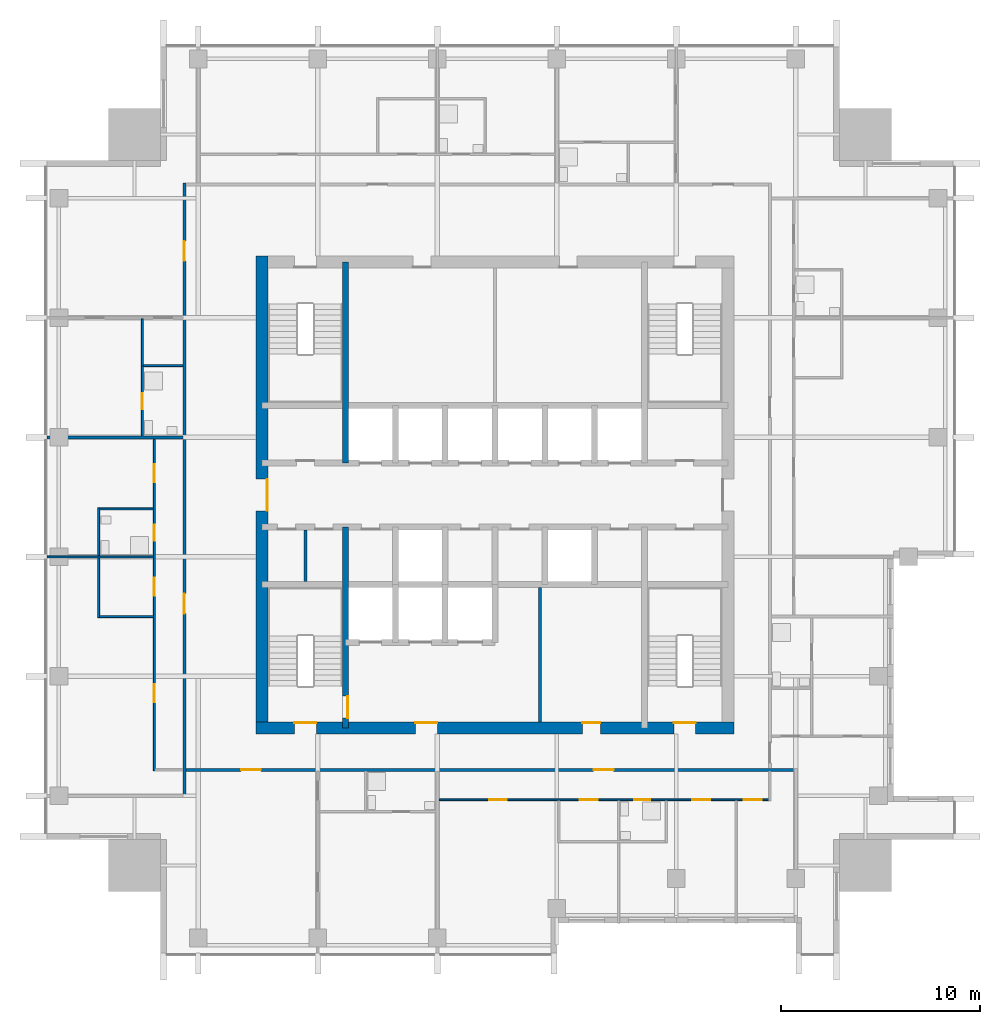
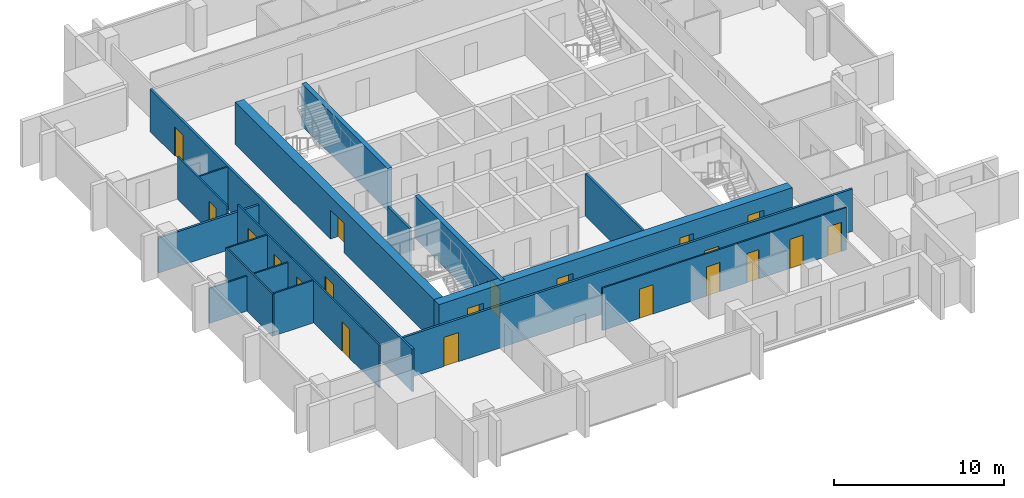
# One storey, part 4 of 10: 20 doors, 17 walls, 20 openings.
"""IFC4 building model written with IfcOpenShell, lengths in metres."""

from ifc_helpers import new_model, si_unit, direction, frame, frame_2d, origin, place, context, subcontext, project, spatial, rectangle, extrude, material, layer, layer_set, type_object, element, fill, save


model = new_model("IFC4")

# Units and contexts
model_context = context("Model", 3, precision=1e-05, world=origin(), true_north=direction((0.0, 1.0)))
body_context = subcontext(model_context, "Body", "Model", "MODEL_VIEW")
ifc_project = project(units=[si_unit("LENGTHUNIT", "METRE"), si_unit("AREAUNIT", "SQUARE_METRE"), si_unit("VOLUMEUNIT", "CUBIC_METRE"), si_unit("PLANEANGLEUNIT", "RADIAN"), si_unit("MASSUNIT", "GRAM", prefix="KILO")], contexts=[model_context])

# Site, building, storey
site_placement = place(None, origin())
site = spatial("IfcSite", under=ifc_project, at=site_placement, CompositionType="ELEMENT")
building_placement = place(site_placement, origin())
building = spatial("IfcBuilding", under=site, at=building_placement, Name="Amberfall Residences", CompositionType="ELEMENT")
storey_placement = place(building_placement, frame((0.0, 0.0, 213.39990234375)))
storey = spatial("IfcBuildingStorey", under=building, at=storey_placement, Name="L57", CompositionType="ELEMENT", Elevation=213.39990234375)

# Wall, opening, door
ifc_material_1 = material(Name="Concrete C55", Category="concrete")
ifc_layer_1 = layer(ifc_material_1, 0.300048828125)
ifc_layer_set_1 = layer_set([ifc_layer_1], Name="Core wall 300 C55")
wall_type_1 = type_object("IfcWallType", Name="Core wall 300 C55", PredefinedType="SHEAR", material=ifc_layer_set_1)
wall_1_placement = place(storey_placement, frame((67.0, 33.800048828125, 0.0), z_axis=(0.0, 0.0, 1.0), x_axis=(0.0, 1.0, 0.0)))
wall_1 = element("IfcWall", 1, at=wall_1_placement, inside=storey, type_object=wall_type_1, Name="Core wall RW8 L57 V45S", PredefinedType="SHEAR", context=body_context, shape_type="SweptSolid", body=[
    extrude(rectangle(XDim=10.099853515625, YDim=0.300048828125, at=frame_2d((5.0498046875, 0.0))), origin(), (0.0, 0.0, 1.0), 3.050048828125),
])
opening_1_placement = place(wall_1_placement, frame((0.5, 0.0, 0.0)))
opening_1 = element("IfcOpeningElement", 2, at=opening_1_placement, cuts=wall_1, Name="Opening FL1", PredefinedType="OPENING", context=body_context, shape_type="SweptSolid", body=[
    extrude(rectangle(XDim=1.10009765625, YDim=2.10009765625, at=frame_2d((0.550048828125, 1.050048828125))), frame((0.0, 0.159912109375, 0.0), z_axis=(0.0, -1.0, 0.0), x_axis=(1.0, 0.0, 0.0)), (0.0, 0.0, 1.0), 0.320068359375),
])
ifc_material_2 = material(Name="Steel fire door set", Category="steel")
door_type_1 = type_object("IfcDoorType", Name="Firefighting lobby door 1100 x 2100", OperationType="SINGLE_SWING_LEFT", PredefinedType="DOOR", material=ifc_material_2)
door_1_placement = place(opening_1_placement, origin())
door_1 = element("IfcDoor", 3, at=door_1_placement, inside=storey, type_object=door_type_1, Name="FL1 L57", OperationType="SINGLE_SWING_RIGHT", OverallHeight=2.10009765625, OverallWidth=1.10009765625, PredefinedType="DOOR", context=body_context, shape_type="SweptSolid", body=[
    extrude(rectangle(XDim=1.10009765625, YDim=2.10009765625, at=frame_2d((0.550048828125, 1.050048828125))), frame((0.0, -0.08740234375, 0.0), z_axis=(0.0, -1.0, 0.0), x_axis=(1.0, 0.0, 0.0)), (0.0, 0.0, 1.0), 0.050048828125),
])
fill(opening_1, door_1)

# Wall
wall_2_placement = place(storey_placement, frame((67.0, 47.10009765625, 0.0), z_axis=(0.0, 0.0, 1.0), x_axis=(0.0, 1.0, 0.0)))
element("IfcWall", 4, at=wall_2_placement, inside=storey, type_object=wall_type_1, Name="Core wall RW8 L57 V45N", PredefinedType="SHEAR", context=body_context, shape_type="SweptSolid", body=[
    extrude(rectangle(XDim=10.099853515625, YDim=0.300048828125, at=frame_2d((5.0498046875, 0.0))), origin(), (0.0, 0.0, 1.0), 3.050048828125),
])

# Wall, openings, doors
ifc_layer_2 = layer(ifc_material_1, 0.60009765625)
ifc_layer_set_2 = layer_set([ifc_layer_2], Name="Core wall 600 C55")
wall_type_2 = type_object("IfcWallType", Name="Core wall 600 C55", PredefinedType="SHEAR", material=ifc_layer_set_2)
wall_3_placement = place(storey_placement, frame((62.5, 33.800048828125, 0.0), z_axis=(0.0, 0.0, 1.0), x_axis=(1.0, 0.0, 0.0)))
wall_3 = element("IfcWall", 5, at=wall_3_placement, inside=storey, type_object=wall_type_2, Name="Core wall RW7 L57 OS", PredefinedType="SHEAR", context=body_context, shape_type="SweptSolid", body=[
    extrude(rectangle(XDim=24.0, YDim=0.60009765625, at=frame_2d((12.0, 0.0))), origin(), (0.0, 0.0, 1.0), 3.050048828125),
])
opening_2_placement = place(wall_3_placement, frame((1.925048828125, 0.0, 0.0)))
opening_2 = element("IfcOpeningElement", 6, at=opening_2_placement, cuts=wall_3, Name="Opening SD1", PredefinedType="OPENING", context=body_context, shape_type="SweptSolid", body=[
    extrude(rectangle(XDim=1.10009765625, YDim=2.10009765625, at=frame_2d((0.550048828125, 1.050048828125))), frame((0.0, 0.31005859375, 0.0), z_axis=(0.0, -1.0, 0.0), x_axis=(1.0, 0.0, 0.0)), (0.0, 0.0, 1.0), 0.6201171875),
])
opening_3_placement = place(wall_3_placement, frame((20.97509765625, 0.0, 0.0)))
opening_3 = element("IfcOpeningElement", 7, at=opening_3_placement, cuts=wall_3, Name="Opening SD1", PredefinedType="OPENING", context=body_context, shape_type="SweptSolid", body=[
    extrude(rectangle(XDim=1.10009765625, YDim=2.10009765625, at=frame_2d((0.550048828125, 1.050048828125))), frame((0.0, 0.31005859375, 0.0), z_axis=(0.0, -1.0, 0.0), x_axis=(1.0, 0.0, 0.0)), (0.0, 0.0, 1.0), 0.6201171875),
])
opening_4_placement = place(wall_3_placement, frame((8.0, 0.0, 0.0)))
opening_4 = element("IfcOpeningElement", 8, at=opening_4_placement, cuts=wall_3, Name="Opening FL1", PredefinedType="OPENING", context=body_context, shape_type="SweptSolid", body=[
    extrude(rectangle(XDim=1.10009765625, YDim=2.10009765625, at=frame_2d((0.550048828125, 1.050048828125))), frame((0.0, 0.31005859375, 0.0), z_axis=(0.0, -1.0, 0.0), x_axis=(1.0, 0.0, 0.0)), (0.0, 0.0, 1.0), 0.6201171875),
])
opening_5_placement = place(wall_3_placement, frame((16.387451171875, 0.0, 0.0)))
opening_5 = element("IfcOpeningElement", 9, at=opening_5_placement, cuts=wall_3, Name="Opening RD1", PredefinedType="OPENING", context=body_context, shape_type="SweptSolid", body=[
    extrude(rectangle(XDim=0.89990234375, YDim=2.10009765625, at=frame_2d((0.449951171875, 1.050048828125))), frame((0.0, 0.31005859375, 0.0), z_axis=(0.0, -1.0, 0.0), x_axis=(1.0, 0.0, 0.0)), (0.0, 0.0, 1.0), 0.6201171875),
])
door_2_placement = place(opening_4_placement, origin())
door_2 = element("IfcDoor", 10, at=door_2_placement, inside=storey, type_object=door_type_1, Name="FL1 L57", OperationType="SINGLE_SWING_LEFT", OverallHeight=2.10009765625, OverallWidth=1.10009765625, PredefinedType="DOOR", context=body_context, shape_type="SweptSolid", body=[
    extrude(rectangle(XDim=1.10009765625, YDim=2.10009765625, at=frame_2d((0.550048828125, 1.050048828125))), frame((0.0, 0.28759765625, 0.0), z_axis=(0.0, -1.0, 0.0), x_axis=(1.0, 0.0, 0.0)), (0.0, 0.0, 1.0), 0.050048828125),
])
fill(opening_4, door_2)
door_type_2 = type_object("IfcDoorType", Name="Service room door 900 x 2100", OperationType="SINGLE_SWING_LEFT", PredefinedType="DOOR", material=ifc_material_2)
door_3_placement = place(opening_5_placement, origin())
door_3 = element("IfcDoor", 11, at=door_3_placement, inside=storey, type_object=door_type_2, Name="RD1 L57", OperationType="SINGLE_SWING_LEFT", OverallHeight=2.10009765625, OverallWidth=0.89990234375, PredefinedType="DOOR", context=body_context, shape_type="SweptSolid", body=[
    extrude(rectangle(XDim=0.89990234375, YDim=2.10009765625, at=frame_2d((0.449951171875, 1.050048828125))), frame((0.0, 0.28759765625, 0.0), z_axis=(0.0, -1.0, 0.0), x_axis=(1.0, 0.0, 0.0)), (0.0, 0.0, 1.0), 0.050048828125),
])
fill(opening_5, door_3)
door_type_3 = type_object("IfcDoorType", Name="Stair door 1100 x 2100", OperationType="SINGLE_SWING_LEFT", PredefinedType="DOOR", material=ifc_material_2)
door_4_placement = place(opening_2_placement, origin())
door_4 = element("IfcDoor", 12, at=door_4_placement, inside=storey, type_object=door_type_3, Name="SD1 L57", OperationType="SINGLE_SWING_LEFT", OverallHeight=2.10009765625, OverallWidth=1.10009765625, PredefinedType="DOOR", context=body_context, shape_type="SweptSolid", body=[
    extrude(rectangle(XDim=1.10009765625, YDim=2.10009765625, at=frame_2d((0.550048828125, 1.050048828125))), frame((0.0, 0.28759765625, 0.0), z_axis=(0.0, -1.0, 0.0), x_axis=(1.0, 0.0, 0.0)), (0.0, 0.0, 1.0), 0.050048828125),
])
fill(opening_2, door_4)
door_5_placement = place(opening_3_placement, origin())
door_5 = element("IfcDoor", 13, at=door_5_placement, inside=storey, type_object=door_type_3, Name="SD1 L57", OperationType="SINGLE_SWING_RIGHT", OverallHeight=2.10009765625, OverallWidth=1.10009765625, PredefinedType="DOOR", context=body_context, shape_type="SweptSolid", body=[
    extrude(rectangle(XDim=1.10009765625, YDim=2.10009765625, at=frame_2d((0.550048828125, 1.050048828125))), frame((0.0, 0.28759765625, 0.0), z_axis=(0.0, -1.0, 0.0), x_axis=(1.0, 0.0, 0.0)), (0.0, 0.0, 1.0), 0.050048828125),
])
fill(opening_3, door_5)

# Wall, opening, door
wall_4_placement = place(storey_placement, frame((62.800048828125, 33.5, 0.0), z_axis=(0.0, 0.0, 1.0), x_axis=(0.0, 1.0, 0.0)))
wall_4 = element("IfcWall", 14, at=wall_4_placement, inside=storey, type_object=wall_type_2, Name="Core wall RW7 L57 OW", PredefinedType="SHEAR", context=body_context, shape_type="SweptSolid", body=[
    extrude(rectangle(XDim=24.0, YDim=0.60009765625, at=frame_2d((12.0, 0.0))), origin(), (0.0, 0.0, 1.0), 3.050048828125),
])
opening_6_placement = place(wall_4_placement, frame((11.199951171875, 0.0, 0.0)))
opening_6 = element("IfcOpeningElement", 15, at=opening_6_placement, cuts=wall_4, Name="Opening LB1", PredefinedType="OPENING", context=body_context, shape_type="SweptSolid", body=[
    extrude(rectangle(XDim=1.60009765625, YDim=2.10009765625, at=frame_2d((0.800048828125, 1.050048828125))), frame((0.0, 0.31005859375, 0.0), z_axis=(0.0, -1.0, 0.0), x_axis=(1.0, 0.0, 0.0)), (0.0, 0.0, 1.0), 0.6201171875),
])
door_type_4 = type_object("IfcDoorType", Name="Lift lobby double door 1600 x 2100", OperationType="DOUBLE_DOOR_SINGLE_SWING", PredefinedType="DOOR", material=ifc_material_2)
door_6_placement = place(opening_6_placement, origin())
door_6 = element("IfcDoor", 16, at=door_6_placement, inside=storey, type_object=door_type_4, Name="LB1 L57", OperationType="DOUBLE_DOOR_SINGLE_SWING", OverallHeight=2.10009765625, OverallWidth=1.60009765625, PredefinedType="DOOR", context=body_context, shape_type="SweptSolid", body=[
    extrude(rectangle(XDim=1.60009765625, YDim=2.10009765625, at=frame_2d((0.800048828125, 1.050048828125))), frame((0.0, -0.2373046875, 0.0), z_axis=(0.0, -1.0, 0.0), x_axis=(1.0, 0.0, 0.0)), (0.0, 0.0, 1.0), 0.050048828125),
])
fill(opening_6, door_6)

# Wall
ifc_material_3 = material(Name="Gypsum board on metal stud")
ifc_layer_3 = layer(ifc_material_3, 0.10009765625)
ifc_layer_set_3 = layer_set([ifc_layer_3], Name="Flat partition 100")
wall_type_3 = type_object("IfcWallType", Name="Flat partition 100", PredefinedType="PARTITIONING", material=ifc_layer_set_3)
wall_5_placement = place(storey_placement, frame((54.60009765625, 39.35009765625, 0.0), z_axis=(0.0, 0.0, 1.0), x_axis=(0.0, 1.0, 0.0)))
element("IfcWall", 17, at=wall_5_placement, inside=storey, type_object=wall_type_3, Name="Partition 001", PredefinedType="PARTITIONING", context=body_context, shape_type="SweptSolid", body=[
    extrude(rectangle(XDim=5.5, YDim=0.10009765625, at=frame_2d((2.75, 0.0))), origin(), (0.0, 0.0, 1.0), 3.050048828125),
])

# Wall, opening, door
wall_6_placement = place(storey_placement, frame((56.800048828125, 54.35009765625, 0.0), z_axis=(0.0, 0.0, 1.0), x_axis=(0.0, -1.0, 0.0)))
wall_6 = element("IfcWall", 18, at=wall_6_placement, inside=storey, type_object=wall_type_3, Name="Partition 002", PredefinedType="PARTITIONING", context=body_context, shape_type="SweptSolid", body=[
    extrude(rectangle(XDim=5.875, YDim=0.10009765625, at=frame_2d((2.9375, 0.0))), origin(), (0.0, 0.0, 1.0), 3.050048828125),
])
opening_7_placement = place(wall_6_placement, frame((3.75, 0.0, 0.0)))
opening_7 = element("IfcOpeningElement", 19, at=opening_7_placement, cuts=wall_6, Name="Opening D42", PredefinedType="OPENING", context=body_context, shape_type="SweptSolid", body=[
    extrude(rectangle(XDim=0.800048828125, YDim=2.10009765625, at=frame_2d((0.39990234375, 1.050048828125))), frame((0.0, 0.06005859375, 0.0), z_axis=(0.0, -1.0, 0.0), x_axis=(1.0, 0.0, 0.0)), (0.0, 0.0, 1.0), 0.1201171875),
])
ifc_material_4 = material(Name="Timber", Category="wood")
door_type_5 = type_object("IfcDoorType", Name="Bathroom door 800 x 2100", OperationType="SINGLE_SWING_LEFT", PredefinedType="DOOR", material=ifc_material_4)
door_7_placement = place(opening_7_placement, origin())
door_7 = element("IfcDoor", 20, at=door_7_placement, inside=storey, type_object=door_type_5, Name="Door 5708 bath1", OperationType="SINGLE_SWING_LEFT", OverallHeight=2.10009765625, OverallWidth=0.800048828125, PredefinedType="DOOR", context=body_context, shape_type="SweptSolid", body=[
    extrude(rectangle(XDim=0.800048828125, YDim=2.10009765625, at=frame_2d((0.39990234375, 1.050048828125))), frame((0.0, 0.02490234375, 0.0), z_axis=(0.0, -1.0, 0.0), x_axis=(1.0, 0.0, 0.0)), (0.0, 0.0, 1.0), 0.050048828125),
])
fill(opening_7, door_7)

# Wall, openings, doors
wall_7_placement = place(storey_placement, frame((57.39990234375, 31.64990234375, 0.0), z_axis=(0.0, 0.0, 1.0), x_axis=(0.0, 1.0, 0.0)))
wall_7 = element("IfcWall", 21, at=wall_7_placement, inside=storey, type_object=wall_type_3, Name="Partition 003", PredefinedType="PARTITIONING", context=body_context, shape_type="SweptSolid", body=[
    extrude(rectangle(XDim=16.675048828125, YDim=0.10009765625, at=frame_2d((8.33740234375, 0.0))), origin(), (0.0, 0.0, 1.0), 3.050048828125),
])
opening_8_placement = place(wall_7_placement, frame((3.449951171875, 0.0, 0.0)))
opening_8 = element("IfcOpeningElement", 22, at=opening_8_placement, cuts=wall_7, Name="Opening D41", PredefinedType="OPENING", context=body_context, shape_type="SweptSolid", body=[
    extrude(rectangle(XDim=0.89990234375, YDim=2.10009765625, at=frame_2d((0.449951171875, 1.050048828125))), frame((0.0, 0.06005859375, 0.0), z_axis=(0.0, -1.0, 0.0), x_axis=(1.0, 0.0, 0.0)), (0.0, 0.0, 1.0), 0.1201171875),
])
opening_9_placement = place(wall_7_placement, frame((8.800048828125, 0.0, 0.0)))
opening_9 = element("IfcOpeningElement", 23, at=opening_9_placement, cuts=wall_7, Name="Opening D41", PredefinedType="OPENING", context=body_context, shape_type="SweptSolid", body=[
    extrude(rectangle(XDim=0.89990234375, YDim=2.10009765625, at=frame_2d((0.449951171875, 1.050048828125))), frame((0.0, 0.06005859375, 0.0), z_axis=(0.0, -1.0, 0.0), x_axis=(1.0, 0.0, 0.0)), (0.0, 0.0, 1.0), 0.1201171875),
])
opening_10_placement = place(wall_7_placement, frame((14.5, 0.0, 0.0)))
opening_10 = element("IfcOpeningElement", 24, at=opening_10_placement, cuts=wall_7, Name="Opening D41", PredefinedType="OPENING", context=body_context, shape_type="SweptSolid", body=[
    extrude(rectangle(XDim=0.89990234375, YDim=2.10009765625, at=frame_2d((0.449951171875, 1.050048828125))), frame((0.0, 0.06005859375, 0.0), z_axis=(0.0, -1.0, 0.0), x_axis=(1.0, 0.0, 0.0)), (0.0, 0.0, 1.0), 0.1201171875),
])
opening_11_placement = place(wall_7_placement, frame((11.550048828125, 0.0, 0.0)))
opening_11 = element("IfcOpeningElement", 25, at=opening_11_placement, cuts=wall_7, Name="Opening D42", PredefinedType="OPENING", context=body_context, shape_type="SweptSolid", body=[
    extrude(rectangle(XDim=0.800048828125, YDim=2.10009765625, at=frame_2d((0.39990234375, 1.050048828125))), frame((0.0, 0.06005859375, 0.0), z_axis=(0.0, -1.0, 0.0), x_axis=(1.0, 0.0, 0.0)), (0.0, 0.0, 1.0), 0.1201171875),
])
door_8_placement = place(opening_11_placement, origin())
door_8 = element("IfcDoor", 26, at=door_8_placement, inside=storey, type_object=door_type_5, Name="Door 5707 bath1", OperationType="SINGLE_SWING_LEFT", OverallHeight=2.10009765625, OverallWidth=0.800048828125, PredefinedType="DOOR", context=body_context, shape_type="SweptSolid", body=[
    extrude(rectangle(XDim=0.800048828125, YDim=2.10009765625, at=frame_2d((0.39990234375, 1.050048828125))), frame((0.0, 0.02490234375, 0.0), z_axis=(0.0, -1.0, 0.0), x_axis=(1.0, 0.0, 0.0)), (0.0, 0.0, 1.0), 0.050048828125),
])
fill(opening_11, door_8)
door_type_6 = type_object("IfcDoorType", Name="Internal door 900 x 2100", OperationType="SINGLE_SWING_LEFT", PredefinedType="DOOR", material=ifc_material_4)
door_9_placement = place(opening_8_placement, origin())
door_9 = element("IfcDoor", 27, at=door_9_placement, inside=storey, type_object=door_type_6, Name="Door 5707 living", OperationType="SINGLE_SWING_LEFT", OverallHeight=2.10009765625, OverallWidth=0.89990234375, PredefinedType="DOOR", context=body_context, shape_type="SweptSolid", body=[
    extrude(rectangle(XDim=0.89990234375, YDim=2.10009765625, at=frame_2d((0.449951171875, 1.050048828125))), frame((0.0, 0.02490234375, 0.0), z_axis=(0.0, -1.0, 0.0), x_axis=(1.0, 0.0, 0.0)), (0.0, 0.0, 1.0), 0.050048828125),
])
fill(opening_8, door_9)
door_10_placement = place(opening_9_placement, origin())
door_10 = element("IfcDoor", 28, at=door_10_placement, inside=storey, type_object=door_type_6, Name="Door 5707 kitchen", OperationType="SINGLE_SWING_LEFT", OverallHeight=2.10009765625, OverallWidth=0.89990234375, PredefinedType="DOOR", context=body_context, shape_type="SweptSolid", body=[
    extrude(rectangle(XDim=0.89990234375, YDim=2.10009765625, at=frame_2d((0.449951171875, 1.050048828125))), frame((0.0, 0.02490234375, 0.0), z_axis=(0.0, -1.0, 0.0), x_axis=(1.0, 0.0, 0.0)), (0.0, 0.0, 1.0), 0.050048828125),
])
fill(opening_9, door_10)
door_11_placement = place(opening_10_placement, origin())
door_11 = element("IfcDoor", 29, at=door_11_placement, inside=storey, type_object=door_type_6, Name="Door 5707 bedroom1", OperationType="SINGLE_SWING_LEFT", OverallHeight=2.10009765625, OverallWidth=0.89990234375, PredefinedType="DOOR", context=body_context, shape_type="SweptSolid", body=[
    extrude(rectangle(XDim=0.89990234375, YDim=2.10009765625, at=frame_2d((0.449951171875, 1.050048828125))), frame((0.0, 0.02490234375, 0.0), z_axis=(0.0, -1.0, 0.0), x_axis=(1.0, 0.0, 0.0)), (0.0, 0.0, 1.0), 0.050048828125),
])
fill(opening_10, door_11)

# Walls
wall_8_placement = place(storey_placement, frame((56.85009765625, 52.0, 0.0), z_axis=(0.0, 0.0, 1.0), x_axis=(1.0, 0.0, 0.0)))
element("IfcWall", 30, at=wall_8_placement, inside=storey, type_object=wall_type_3, Name="Partition 025", PredefinedType="PARTITIONING", context=body_context, shape_type="SweptSolid", body=[
    extrude(rectangle(XDim=1.974853515625, YDim=0.10009765625, at=frame_2d((0.9873046875, 0.0))), origin(), (0.0, 0.0, 1.0), 3.050048828125),
])
wall_9_placement = place(storey_placement, frame((54.64990234375, 44.800048828125, 0.0), z_axis=(0.0, 0.0, 1.0), x_axis=(1.0, 0.0, 0.0)))
element("IfcWall", 31, at=wall_9_placement, inside=storey, type_object=wall_type_3, Name="Partition 027", PredefinedType="PARTITIONING", context=body_context, shape_type="SweptSolid", body=[
    extrude(rectangle(XDim=2.7001953125, YDim=0.10009765625, at=frame_2d((1.35009765625, 0.0))), origin(), (0.0, 0.0, 1.0), 3.050048828125),
])
wall_10_placement = place(storey_placement, frame((52.0, 42.39990234375, 0.0), z_axis=(0.0, 0.0, 1.0), x_axis=(1.0, 0.0, 0.0)))
element("IfcWall", 32, at=wall_10_placement, inside=storey, type_object=wall_type_3, Name="Partition 028", PredefinedType="PARTITIONING", context=body_context, shape_type="SweptSolid", body=[
    extrude(rectangle(XDim=5.35009765625, YDim=0.10009765625, at=frame_2d((2.675048828125, 0.0))), origin(), (0.0, 0.0, 1.0), 2.51611328125),
])
wall_11_placement = place(storey_placement, frame((54.64990234375, 39.39990234375, 0.0), z_axis=(0.0, 0.0, 1.0), x_axis=(1.0, 0.0, 0.0)))
element("IfcWall", 33, at=wall_11_placement, inside=storey, type_object=wall_type_3, Name="Partition 030", PredefinedType="PARTITIONING", context=body_context, shape_type="SweptSolid", body=[
    extrude(rectangle(XDim=2.7001953125, YDim=0.10009765625, at=frame_2d((1.35009765625, 0.0))), origin(), (0.0, 0.0, 1.0), 3.050048828125),
])

# Wall, openings, doors
wall_12_placement = place(storey_placement, frame((88.25, 30.199951171875, 0.0), z_axis=(0.0, 0.0, 1.0), x_axis=(-1.0, 0.0, 0.0)))
wall_12 = element("IfcWall", 34, at=wall_12_placement, inside=storey, type_object=wall_type_3, Name="Partition 034", PredefinedType="PARTITIONING", context=body_context, shape_type="SweptSolid", body=[
    extrude(rectangle(XDim=16.574951171875, YDim=0.10009765625, at=frame_2d((8.28759765625, 0.0))), origin(), (0.0, 0.0, 1.0), 3.050048828125),
])
opening_12_placement = place(wall_12_placement, frame((13.14990234375, 0.0, 0.0)))
opening_12 = element("IfcOpeningElement", 35, at=opening_12_placement, cuts=wall_12, Name="Opening D41", PredefinedType="OPENING", context=body_context, shape_type="SweptSolid", body=[
    extrude(rectangle(XDim=0.89990234375, YDim=2.10009765625, at=frame_2d((0.449951171875, 1.050048828125))), frame((0.0, 0.06005859375, 0.0), z_axis=(0.0, -1.0, 0.0), x_axis=(1.0, 0.0, 0.0)), (0.0, 0.0, 1.0), 0.1201171875),
])
opening_13_placement = place(wall_12_placement, frame((8.60009765625, 0.0, 0.0)))
opening_13 = element("IfcOpeningElement", 36, at=opening_13_placement, cuts=wall_12, Name="Opening D41", PredefinedType="OPENING", context=body_context, shape_type="SweptSolid", body=[
    extrude(rectangle(XDim=0.89990234375, YDim=2.10009765625, at=frame_2d((0.449951171875, 1.050048828125))), frame((0.0, 0.06005859375, 0.0), z_axis=(0.0, -1.0, 0.0), x_axis=(1.0, 0.0, 0.0)), (0.0, 0.0, 1.0), 0.1201171875),
])
opening_14_placement = place(wall_12_placement, frame((2.949951171875, 0.0, 0.0)))
opening_14 = element("IfcOpeningElement", 37, at=opening_14_placement, cuts=wall_12, Name="Opening D41", PredefinedType="OPENING", context=body_context, shape_type="SweptSolid", body=[
    extrude(rectangle(XDim=0.89990234375, YDim=2.10009765625, at=frame_2d((0.449951171875, 1.050048828125))), frame((0.0, 0.06005859375, 0.0), z_axis=(0.0, -1.0, 0.0), x_axis=(1.0, 0.0, 0.0)), (0.0, 0.0, 1.0), 0.1201171875),
])
opening_15_placement = place(wall_12_placement, frame((0.35009765625, 0.0, 0.0)))
opening_15 = element("IfcOpeningElement", 38, at=opening_15_placement, cuts=wall_12, Name="Opening D41", PredefinedType="OPENING", context=body_context, shape_type="SweptSolid", body=[
    extrude(rectangle(XDim=0.89990234375, YDim=2.10009765625, at=frame_2d((0.449951171875, 1.050048828125))), frame((0.0, 0.06005859375, 0.0), z_axis=(0.0, -1.0, 0.0), x_axis=(1.0, 0.0, 0.0)), (0.0, 0.0, 1.0), 0.1201171875),
])
opening_16_placement = place(wall_12_placement, frame((5.949951171875, 0.0, 0.0)))
opening_16 = element("IfcOpeningElement", 39, at=opening_16_placement, cuts=wall_12, Name="Opening D42", PredefinedType="OPENING", context=body_context, shape_type="SweptSolid", body=[
    extrude(rectangle(XDim=0.800048828125, YDim=2.10009765625, at=frame_2d((0.39990234375, 1.050048828125))), frame((0.0, 0.06005859375, 0.0), z_axis=(0.0, -1.0, 0.0), x_axis=(1.0, 0.0, 0.0)), (0.0, 0.0, 1.0), 0.1201171875),
])
door_12_placement = place(opening_16_placement, origin())
door_12 = element("IfcDoor", 40, at=door_12_placement, inside=storey, type_object=door_type_5, Name="Door 5702 bath1", OperationType="SINGLE_SWING_LEFT", OverallHeight=2.10009765625, OverallWidth=0.800048828125, PredefinedType="DOOR", context=body_context, shape_type="SweptSolid", body=[
    extrude(rectangle(XDim=0.800048828125, YDim=2.10009765625, at=frame_2d((0.39990234375, 1.050048828125))), frame((0.0, 0.02490234375, 0.0), z_axis=(0.0, -1.0, 0.0), x_axis=(1.0, 0.0, 0.0)), (0.0, 0.0, 1.0), 0.050048828125),
])
fill(opening_16, door_12)
door_13_placement = place(opening_12_placement, origin())
door_13 = element("IfcDoor", 41, at=door_13_placement, inside=storey, type_object=door_type_6, Name="Door 5702 living", OperationType="SINGLE_SWING_LEFT", OverallHeight=2.10009765625, OverallWidth=0.89990234375, PredefinedType="DOOR", context=body_context, shape_type="SweptSolid", body=[
    extrude(rectangle(XDim=0.89990234375, YDim=2.10009765625, at=frame_2d((0.449951171875, 1.050048828125))), frame((0.0, 0.02490234375, 0.0), z_axis=(0.0, -1.0, 0.0), x_axis=(1.0, 0.0, 0.0)), (0.0, 0.0, 1.0), 0.050048828125),
])
fill(opening_12, door_13)
door_14_placement = place(opening_13_placement, origin())
door_14 = element("IfcDoor", 42, at=door_14_placement, inside=storey, type_object=door_type_6, Name="Door 5702 kitchen", OperationType="SINGLE_SWING_LEFT", OverallHeight=2.10009765625, OverallWidth=0.89990234375, PredefinedType="DOOR", context=body_context, shape_type="SweptSolid", body=[
    extrude(rectangle(XDim=0.89990234375, YDim=2.10009765625, at=frame_2d((0.449951171875, 1.050048828125))), frame((0.0, 0.02490234375, 0.0), z_axis=(0.0, -1.0, 0.0), x_axis=(1.0, 0.0, 0.0)), (0.0, 0.0, 1.0), 0.050048828125),
])
fill(opening_13, door_14)
door_15_placement = place(opening_14_placement, origin())
door_15 = element("IfcDoor", 43, at=door_15_placement, inside=storey, type_object=door_type_6, Name="Door 5702 bedroom1", OperationType="SINGLE_SWING_LEFT", OverallHeight=2.10009765625, OverallWidth=0.89990234375, PredefinedType="DOOR", context=body_context, shape_type="SweptSolid", body=[
    extrude(rectangle(XDim=0.89990234375, YDim=2.10009765625, at=frame_2d((0.449951171875, 1.050048828125))), frame((0.0, 0.02490234375, 0.0), z_axis=(0.0, -1.0, 0.0), x_axis=(1.0, 0.0, 0.0)), (0.0, 0.0, 1.0), 0.050048828125),
])
fill(opening_14, door_15)
door_16_placement = place(opening_15_placement, origin())
door_16 = element("IfcDoor", 44, at=door_16_placement, inside=storey, type_object=door_type_6, Name="Door 5702 bedroom2", OperationType="SINGLE_SWING_LEFT", OverallHeight=2.10009765625, OverallWidth=0.89990234375, PredefinedType="DOOR", context=body_context, shape_type="SweptSolid", body=[
    extrude(rectangle(XDim=0.89990234375, YDim=2.10009765625, at=frame_2d((0.449951171875, 1.050048828125))), frame((0.0, 0.02490234375, 0.0), z_axis=(0.0, -1.0, 0.0), x_axis=(1.0, 0.0, 0.0)), (0.0, 0.0, 1.0), 0.050048828125),
])
fill(opening_15, door_16)

ifc_material_5 = material(Name="Blockwork, plastered", Category="masonry")
ifc_layer_4 = layer(ifc_material_5, 0.14990234375)
ifc_layer_set_4 = layer_set([ifc_layer_4], Name="Flat separating wall 150")
wall_type_4 = type_object("IfcWallType", Name="Flat separating wall 150", PredefinedType="PARTITIONING", material=ifc_layer_set_4)
wall_13_placement = place(storey_placement, frame((58.89990234375, 30.324951171875, 0.0), z_axis=(0.0, 0.0, 1.0), x_axis=(0.0, 1.0, 0.0)))
wall_13 = element("IfcWall", 45, at=wall_13_placement, inside=storey, type_object=wall_type_4, Name="Separating wall 037", PredefinedType="PARTITIONING", context=body_context, shape_type="SweptSolid", body=[
    extrude(rectangle(XDim=30.85009765625, YDim=0.14990234375, at=frame_2d((15.425048828125, 0.0))), origin(), (0.0, 0.0, 1.0), 3.050048828125),
])
opening_17_placement = place(wall_13_placement, frame((9.22509765625, 0.0, 0.0)))
opening_17 = element("IfcOpeningElement", 46, at=opening_17_placement, cuts=wall_13, Name="Opening D40", PredefinedType="OPENING", context=body_context, shape_type="SweptSolid", body=[
    extrude(rectangle(XDim=1.0, YDim=2.10009765625, at=frame_2d((0.5, 1.050048828125))), frame((0.0, 0.0849609375, 0.0), z_axis=(0.0, -1.0, 0.0), x_axis=(1.0, 0.0, 0.0)), (0.0, 0.0, 1.0), 0.169921875),
])
opening_18_placement = place(wall_13_placement, frame((26.925048828125, 0.0, 0.0)))
opening_18 = element("IfcOpeningElement", 47, at=opening_18_placement, cuts=wall_13, Name="Opening D40", PredefinedType="OPENING", context=body_context, shape_type="SweptSolid", body=[
    extrude(rectangle(XDim=1.0, YDim=2.10009765625, at=frame_2d((0.5, 1.050048828125))), frame((0.0, 0.0849609375, 0.0), z_axis=(0.0, -1.0, 0.0), x_axis=(1.0, 0.0, 0.0)), (0.0, 0.0, 1.0), 0.169921875),
])
ifc_material_6 = material(Name="Timber, fire-rated", Category="wood")
door_type_7 = type_object("IfcDoorType", Name="Flat entrance door FD60 1000 x 2100", OperationType="SINGLE_SWING_LEFT", PredefinedType="DOOR", material=ifc_material_6)
door_17_placement = place(opening_17_placement, origin())
door_17 = element("IfcDoor", 48, at=door_17_placement, inside=storey, type_object=door_type_7, Name="Door 5707 entrance", OperationType="SINGLE_SWING_LEFT", OverallHeight=2.10009765625, OverallWidth=1.0, PredefinedType="DOOR", context=body_context, shape_type="SweptSolid", body=[
    extrude(rectangle(XDim=1.0, YDim=2.10009765625, at=frame_2d((0.5, 1.050048828125))), frame((0.0, 0.02490234375, 0.0), z_axis=(0.0, -1.0, 0.0), x_axis=(1.0, 0.0, 0.0)), (0.0, 0.0, 1.0), 0.050048828125),
])
fill(opening_17, door_17)
door_18_placement = place(opening_18_placement, origin())
door_18 = element("IfcDoor", 49, at=door_18_placement, inside=storey, type_object=door_type_7, Name="Door 5708 entrance", OperationType="SINGLE_SWING_LEFT", OverallHeight=2.10009765625, OverallWidth=1.0, PredefinedType="DOOR", context=body_context, shape_type="SweptSolid", body=[
    extrude(rectangle(XDim=1.0, YDim=2.10009765625, at=frame_2d((0.5, 1.050048828125))), frame((0.0, 0.02490234375, 0.0), z_axis=(0.0, -1.0, 0.0), x_axis=(1.0, 0.0, 0.0)), (0.0, 0.0, 1.0), 0.050048828125),
])
fill(opening_18, door_18)

# Wall
wall_14_placement = place(storey_placement, frame((52.0, 48.39990234375, 0.0), z_axis=(0.0, 0.0, 1.0), x_axis=(1.0, 0.0, 0.0)))
element("IfcWall", 50, at=wall_14_placement, inside=storey, type_object=wall_type_4, Name="Separating wall 045", PredefinedType="PARTITIONING", context=body_context, shape_type="SweptSolid", body=[
    extrude(rectangle(XDim=6.824951171875, YDim=0.14990234375, at=frame_2d((3.41259765625, 0.0))), origin(), (0.0, 0.0, 1.0), 2.51611328125),
])

# Wall, openings, doors
wall_15_placement = place(storey_placement, frame((89.52490234375, 31.699951171875, 0.0), z_axis=(0.0, 0.0, 1.0), x_axis=(-1.0, 0.0, 0.0)))
wall_15 = element("IfcWall", 51, at=wall_15_placement, inside=storey, type_object=wall_type_4, Name="Separating wall 047", PredefinedType="PARTITIONING", context=body_context, shape_type="SweptSolid", body=[
    extrude(rectangle(XDim=30.5498046875, YDim=0.14990234375, at=frame_2d((15.27490234375, 0.0))), origin(), (0.0, 0.0, 1.0), 3.050048828125),
])
opening_19_placement = place(wall_15_placement, frame((26.77490234375, 0.0, 0.0)))
opening_19 = element("IfcOpeningElement", 52, at=opening_19_placement, cuts=wall_15, Name="Opening D40", PredefinedType="OPENING", context=body_context, shape_type="SweptSolid", body=[
    extrude(rectangle(XDim=1.0, YDim=2.10009765625, at=frame_2d((0.5, 1.050048828125))), frame((0.0, 0.0849609375, 0.0), z_axis=(0.0, -1.0, 0.0), x_axis=(1.0, 0.0, 0.0)), (0.0, 0.0, 1.0), 0.169921875),
])
opening_20_placement = place(wall_15_placement, frame((9.074951171875, 0.0, 0.0)))
opening_20 = element("IfcOpeningElement", 53, at=opening_20_placement, cuts=wall_15, Name="Opening D40", PredefinedType="OPENING", context=body_context, shape_type="SweptSolid", body=[
    extrude(rectangle(XDim=1.0, YDim=2.10009765625, at=frame_2d((0.5, 1.050048828125))), frame((0.0, 0.0849609375, 0.0), z_axis=(0.0, -1.0, 0.0), x_axis=(1.0, 0.0, 0.0)), (0.0, 0.0, 1.0), 0.169921875),
])
door_19_placement = place(opening_19_placement, origin())
door_19 = element("IfcDoor", 54, at=door_19_placement, inside=storey, type_object=door_type_7, Name="Door 5701 entrance", OperationType="SINGLE_SWING_LEFT", OverallHeight=2.10009765625, OverallWidth=1.0, PredefinedType="DOOR", context=body_context, shape_type="SweptSolid", body=[
    extrude(rectangle(XDim=1.0, YDim=2.10009765625, at=frame_2d((0.5, 1.050048828125))), frame((0.0, 0.02490234375, 0.0), z_axis=(0.0, -1.0, 0.0), x_axis=(1.0, 0.0, 0.0)), (0.0, 0.0, 1.0), 0.050048828125),
])
fill(opening_19, door_19)
door_20_placement = place(opening_20_placement, origin())
door_20 = element("IfcDoor", 55, at=door_20_placement, inside=storey, type_object=door_type_7, Name="Door 5702 entrance", OperationType="SINGLE_SWING_LEFT", OverallHeight=2.10009765625, OverallWidth=1.0, PredefinedType="DOOR", context=body_context, shape_type="SweptSolid", body=[
    extrude(rectangle(XDim=1.0, YDim=2.10009765625, at=frame_2d((0.5, 1.050048828125))), frame((0.0, 0.02490234375, 0.0), z_axis=(0.0, -1.0, 0.0), x_axis=(1.0, 0.0, 0.0)), (0.0, 0.0, 1.0), 0.050048828125),
])
fill(opening_20, door_20)

# Walls
ifc_material_7 = material(Name="Concrete blockwork", Category="masonry")
ifc_layer_5 = layer(ifc_material_7, 0.14990234375)
ifc_layer_set_5 = layer_set([ifc_layer_5], Name="Riser wall 150")
wall_type_5 = type_object("IfcWallType", Name="Riser wall 150", PredefinedType="PLUMBINGWALL", material=ifc_layer_set_5)
wall_16_placement = place(storey_placement, frame((76.75, 34.10009765625, 0.0), z_axis=(0.0, 0.0, 1.0), x_axis=(0.0, 1.0, 0.0)))
element("IfcWall", 56, at=wall_16_placement, inside=storey, type_object=wall_type_5, Name="L57 core wall PX", PredefinedType="PLUMBINGWALL", context=body_context, shape_type="SweptSolid", body=[
    extrude(rectangle(XDim=6.75, YDim=0.14990234375, at=frame_2d((3.375, 0.0))), origin(), (0.0, 0.0, 1.0), 3.050048828125),
])
wall_17_placement = place(storey_placement, frame((64.97509765625, 41.14990234375, 0.0), z_axis=(0.0, 0.0, 1.0), x_axis=(0.0, 1.0, 0.0)))
element("IfcWall", 57, at=wall_17_placement, inside=storey, type_object=wall_type_5, Name="L57 core wall ASW0", PredefinedType="PLUMBINGWALL", context=body_context, shape_type="SweptSolid", body=[
    extrude(rectangle(XDim=2.60009765625, YDim=0.14990234375, at=frame_2d((1.300048828125, 0.0))), origin(), (0.0, 0.0, 1.0), 3.050048828125),
])

save(model, "model.ifc")
